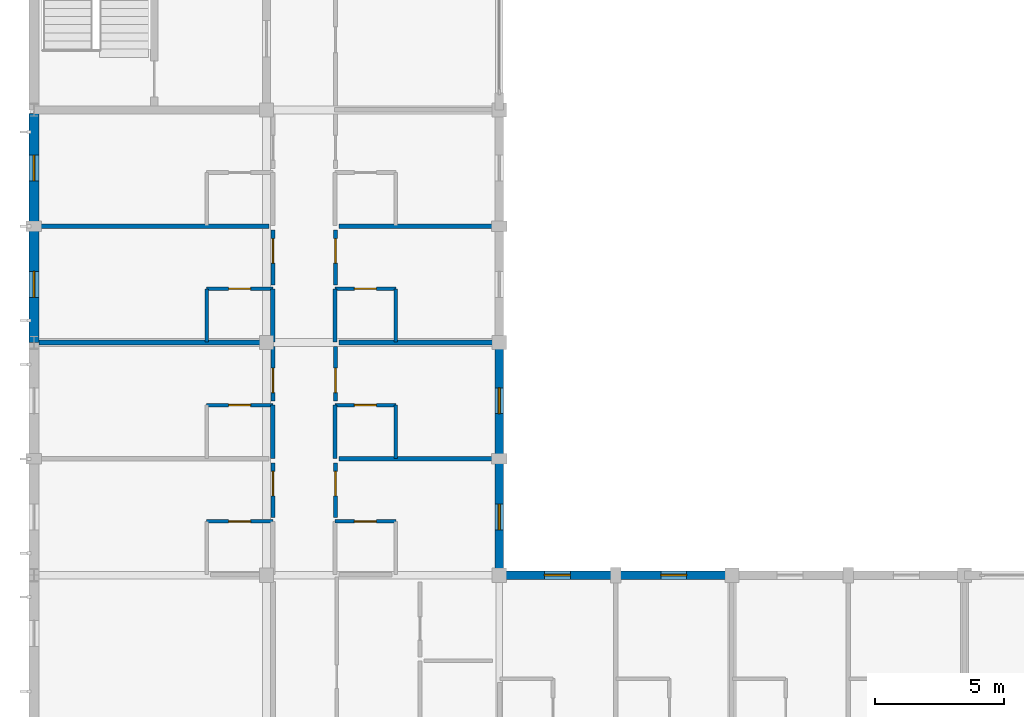
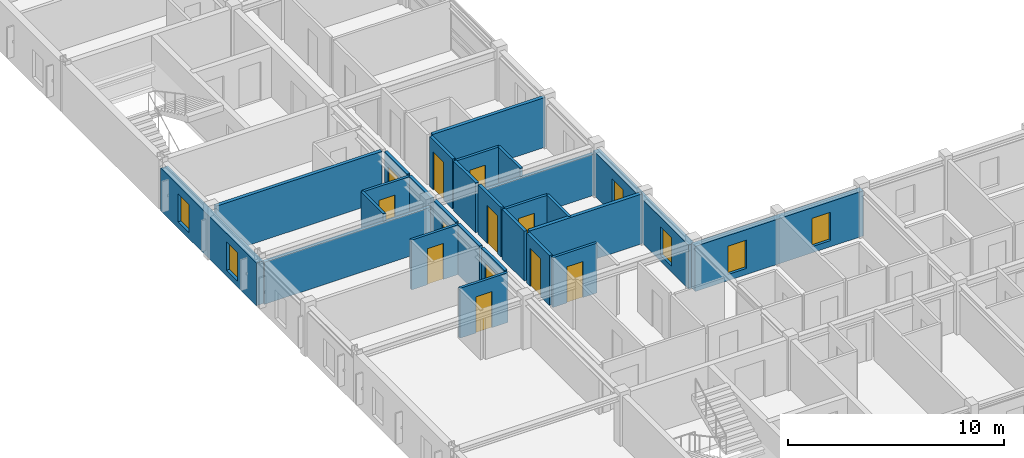
# One storey, part 16 of 30: 27 walls, 12 doors, 6 windows, 18 openings.
"""IFC4 building model written with IfcOpenShell, lengths in metres."""

from ifc_helpers import new_model, si_unit, direction, frame, frame_2d, origin, place, context, subcontext, project, spatial, rectangle, extrude, material, layer, layer_set, type_object, element, fill, save


model = new_model("IFC4")

# Units and contexts
model_context = context("Model", 3, precision=1e-05, world=origin(), true_north=direction((0.0, 1.0)))
body_context = subcontext(model_context, "Body", "Model", "MODEL_VIEW")
ifc_project = project(units=[si_unit("LENGTHUNIT", "METRE"), si_unit("AREAUNIT", "SQUARE_METRE"), si_unit("VOLUMEUNIT", "CUBIC_METRE"), si_unit("PLANEANGLEUNIT", "RADIAN"), si_unit("MASSUNIT", "GRAM", prefix="KILO")], contexts=[model_context])

# Site, building, storey
site_placement = place(None, origin())
site = spatial("IfcSite", under=ifc_project, at=site_placement, CompositionType="ELEMENT")
building_placement = place(site_placement, origin())
building = spatial("IfcBuilding", under=site, at=building_placement, Name="Palais des Congres Ocreval", CompositionType="ELEMENT")
storey_placement = place(building_placement, frame((0.0, 0.0, 14.56005859375)))
storey = spatial("IfcBuildingStorey", under=building, at=storey_placement, Name="L04", CompositionType="ELEMENT", Elevation=14.56005859375)

# Wall, opening, door
ifc_material_1 = material(Name="Moisture-resistant gypsum board")
ifc_layer_1 = layer(ifc_material_1, 0.139892578125)
ifc_layer_set_1 = layer_set([ifc_layer_1], Name="Bathroom Plumbing Chase Wall 140 Gypsum (Moisture-resistant gypsum board)")
wall_type_1 = type_object("IfcWallType", Name="Bathroom Plumbing Chase Wall 140 Gypsum", PredefinedType="PLUMBINGWALL", material=ifc_layer_set_1)
wall_1_placement = place(storey_placement, frame((6.679931640625, 20.080078125, 0.0), z_axis=(0.0, 0.0, 1.0), x_axis=(1.0, 0.0, 0.0)))
wall_1 = element("IfcWall", 1, at=wall_1_placement, inside=storey, type_object=wall_type_1, Name="Bathroom Plumbing Wall PW03 L04", PredefinedType="PLUMBINGWALL", context=body_context, shape_type="SweptSolid", body=[
    extrude(rectangle(XDim=2.56005859375, YDim=0.139892578125, at=frame_2d((1.280029296875, 0.0))), origin(), (0.0, 0.0, 1.0), 2.81982421875),
])
opening_1_placement = place(wall_1_placement, frame((0.85498046875, 0.0, 0.0)))
opening_1 = element("IfcOpeningElement", 2, at=opening_1_placement, cuts=wall_1, Name="Opening D08", PredefinedType="OPENING", context=body_context, shape_type="SweptSolid", body=[
    extrude(rectangle(XDim=0.85009765625, YDim=2.0400390625, at=frame_2d((0.425048828125, 1.02001953125))), frame((0.0, 0.079833984375, 0.0), z_axis=(0.0, -1.0, 0.0), x_axis=(1.0, 0.0, 0.0)), (0.0, 0.0, 1.0), 0.159912109375),
])
ifc_material_2 = material(Name="Solid French oak", Category="wood")
door_type_1 = type_object("IfcDoorType", Name="En-Suite Bathroom Door 850x2040", OperationType="NOTDEFINED", PredefinedType="DOOR", material=ifc_material_2)
door_1_placement = place(opening_1_placement, origin())
door_1 = element("IfcDoor", 3, at=door_1_placement, inside=storey, type_object=door_type_1, Name="En-Suite Bathroom Door D08 L04", OperationType="SINGLE_SWING_LEFT", OverallHeight=2.0400390625, OverallWidth=0.85009765625, PredefinedType="DOOR", context=body_context, shape_type="SweptSolid", body=[
    extrude(rectangle(XDim=0.85009765625, YDim=2.0400390625, at=frame_2d((0.425048828125, 1.02001953125))), frame((0.0, 0.02490234375, 0.0), z_axis=(0.0, -1.0, 0.0), x_axis=(1.0, 0.0, 0.0)), (0.0, 0.0, 1.0), 0.050048828125),
])
fill(opening_1, door_1)

wall_2_placement = place(storey_placement, frame((6.679931640625, 24.580078125, 0.0), z_axis=(0.0, 0.0, 1.0), x_axis=(1.0, 0.0, 0.0)))
wall_2 = element("IfcWall", 4, at=wall_2_placement, inside=storey, type_object=wall_type_1, Name="Bathroom Plumbing Wall PW03 L04", PredefinedType="PLUMBINGWALL", context=body_context, shape_type="SweptSolid", body=[
    extrude(rectangle(XDim=2.56005859375, YDim=0.139892578125, at=frame_2d((1.280029296875, 0.0))), origin(), (0.0, 0.0, 1.0), 2.81982421875),
])
opening_2_placement = place(wall_2_placement, frame((0.85498046875, 0.0, 0.0)))
opening_2 = element("IfcOpeningElement", 5, at=opening_2_placement, cuts=wall_2, Name="Opening D08", PredefinedType="OPENING", context=body_context, shape_type="SweptSolid", body=[
    extrude(rectangle(XDim=0.85009765625, YDim=2.0400390625, at=frame_2d((0.425048828125, 1.02001953125))), frame((0.0, 0.079833984375, 0.0), z_axis=(0.0, -1.0, 0.0), x_axis=(1.0, 0.0, 0.0)), (0.0, 0.0, 1.0), 0.159912109375),
])
door_2_placement = place(opening_2_placement, origin())
door_2 = element("IfcDoor", 6, at=door_2_placement, inside=storey, type_object=door_type_1, Name="En-Suite Bathroom Door D08 L04", OperationType="SINGLE_SWING_RIGHT", OverallHeight=2.0400390625, OverallWidth=0.85009765625, PredefinedType="DOOR", context=body_context, shape_type="SweptSolid", body=[
    extrude(rectangle(XDim=0.85009765625, YDim=2.0400390625, at=frame_2d((0.425048828125, 1.02001953125))), frame((0.0, 0.02490234375, 0.0), z_axis=(0.0, -1.0, 0.0), x_axis=(1.0, 0.0, 0.0)), (0.0, 0.0, 1.0), 0.050048828125),
])
fill(opening_2, door_2)

wall_3_placement = place(storey_placement, frame((11.639892578125, 20.080078125, 0.0), z_axis=(0.0, 0.0, 1.0), x_axis=(1.0, 0.0, 0.0)))
wall_3 = element("IfcWall", 7, at=wall_3_placement, inside=storey, type_object=wall_type_1, Name="Bathroom Plumbing Wall PW03 L04", PredefinedType="PLUMBINGWALL", context=body_context, shape_type="SweptSolid", body=[
    extrude(rectangle(XDim=2.360107421875, YDim=0.139892578125, at=frame_2d((1.18017578125, 0.0))), origin(), (0.0, 0.0, 1.0), 2.81982421875),
])
opening_3_placement = place(wall_3_placement, frame((0.7548828125, 0.0, 0.0)))
opening_3 = element("IfcOpeningElement", 8, at=opening_3_placement, cuts=wall_3, Name="Opening D08", PredefinedType="OPENING", context=body_context, shape_type="SweptSolid", body=[
    extrude(rectangle(XDim=0.85009765625, YDim=2.0400390625, at=frame_2d((0.425048828125, 1.02001953125))), frame((0.0, 0.079833984375, 0.0), z_axis=(0.0, -1.0, 0.0), x_axis=(1.0, 0.0, 0.0)), (0.0, 0.0, 1.0), 0.159912109375),
])
door_3_placement = place(opening_3_placement, origin())
door_3 = element("IfcDoor", 9, at=door_3_placement, inside=storey, type_object=door_type_1, Name="En-Suite Bathroom Door D08 L04", OperationType="SINGLE_SWING_LEFT", OverallHeight=2.0400390625, OverallWidth=0.85009765625, PredefinedType="DOOR", context=body_context, shape_type="SweptSolid", body=[
    extrude(rectangle(XDim=0.85009765625, YDim=2.0400390625, at=frame_2d((0.425048828125, 1.02001953125))), frame((0.0, 0.02490234375, 0.0), z_axis=(0.0, -1.0, 0.0), x_axis=(1.0, 0.0, 0.0)), (0.0, 0.0, 1.0), 0.050048828125),
])
fill(opening_3, door_3)

wall_4_placement = place(storey_placement, frame((11.639892578125, 24.580078125, 0.0), z_axis=(0.0, 0.0, 1.0), x_axis=(1.0, 0.0, 0.0)))
wall_4 = element("IfcWall", 10, at=wall_4_placement, inside=storey, type_object=wall_type_1, Name="Bathroom Plumbing Wall PW03 L04", PredefinedType="PLUMBINGWALL", context=body_context, shape_type="SweptSolid", body=[
    extrude(rectangle(XDim=2.360107421875, YDim=0.139892578125, at=frame_2d((1.18017578125, 0.0))), origin(), (0.0, 0.0, 1.0), 2.81982421875),
])
opening_4_placement = place(wall_4_placement, frame((0.7548828125, 0.0, 0.0)))
opening_4 = element("IfcOpeningElement", 11, at=opening_4_placement, cuts=wall_4, Name="Opening D08", PredefinedType="OPENING", context=body_context, shape_type="SweptSolid", body=[
    extrude(rectangle(XDim=0.85009765625, YDim=2.0400390625, at=frame_2d((0.425048828125, 1.02001953125))), frame((0.0, 0.079833984375, 0.0), z_axis=(0.0, -1.0, 0.0), x_axis=(1.0, 0.0, 0.0)), (0.0, 0.0, 1.0), 0.159912109375),
])
door_4_placement = place(opening_4_placement, origin())
door_4 = element("IfcDoor", 12, at=door_4_placement, inside=storey, type_object=door_type_1, Name="En-Suite Bathroom Door D08 L04", OperationType="SINGLE_SWING_RIGHT", OverallHeight=2.0400390625, OverallWidth=0.85009765625, PredefinedType="DOOR", context=body_context, shape_type="SweptSolid", body=[
    extrude(rectangle(XDim=0.85009765625, YDim=2.0400390625, at=frame_2d((0.425048828125, 1.02001953125))), frame((0.0, 0.02490234375, 0.0), z_axis=(0.0, -1.0, 0.0), x_axis=(1.0, 0.0, 0.0)), (0.0, 0.0, 1.0), 0.050048828125),
])
fill(opening_4, door_4)

# Wall
wall_5_placement = place(storey_placement, frame((14.0, 22.52001953125, 0.0), z_axis=(0.0, 0.0, 1.0), x_axis=(0.0, 1.0, 0.0)))
element("IfcWall", 13, at=wall_5_placement, inside=storey, type_object=wall_type_1, Name="Bathroom Plumbing Wall PW03 L04", PredefinedType="PLUMBINGWALL", context=body_context, shape_type="SweptSolid", body=[
    extrude(rectangle(XDim=2.06005859375, YDim=0.139892578125, at=frame_2d((1.030029296875, 0.0))), origin(), (0.0, 0.0, 1.0), 2.81982421875),
])

# Wall, opening, door
wall_6_placement = place(storey_placement, frame((6.679931640625, 29.080078125, 0.0), z_axis=(0.0, 0.0, 1.0), x_axis=(1.0, 0.0, 0.0)))
wall_6 = element("IfcWall", 14, at=wall_6_placement, inside=storey, type_object=wall_type_1, Name="Bathroom Plumbing Wall PW03 L04", PredefinedType="PLUMBINGWALL", context=body_context, shape_type="SweptSolid", body=[
    extrude(rectangle(XDim=2.56005859375, YDim=0.139892578125, at=frame_2d((1.280029296875, 0.0))), origin(), (0.0, 0.0, 1.0), 2.81982421875),
])
opening_5_placement = place(wall_6_placement, frame((0.85498046875, 0.0, 0.0)))
opening_5 = element("IfcOpeningElement", 15, at=opening_5_placement, cuts=wall_6, Name="Opening D08", PredefinedType="OPENING", context=body_context, shape_type="SweptSolid", body=[
    extrude(rectangle(XDim=0.85009765625, YDim=2.0400390625, at=frame_2d((0.425048828125, 1.02001953125))), frame((0.0, 0.079833984375, 0.0), z_axis=(0.0, -1.0, 0.0), x_axis=(1.0, 0.0, 0.0)), (0.0, 0.0, 1.0), 0.159912109375),
])
door_5_placement = place(opening_5_placement, origin())
door_5 = element("IfcDoor", 16, at=door_5_placement, inside=storey, type_object=door_type_1, Name="En-Suite Bathroom Door D08 L04", OperationType="SINGLE_SWING_LEFT", OverallHeight=2.0400390625, OverallWidth=0.85009765625, PredefinedType="DOOR", context=body_context, shape_type="SweptSolid", body=[
    extrude(rectangle(XDim=0.85009765625, YDim=2.0400390625, at=frame_2d((0.425048828125, 1.02001953125))), frame((0.0, 0.02490234375, 0.0), z_axis=(0.0, -1.0, 0.0), x_axis=(1.0, 0.0, 0.0)), (0.0, 0.0, 1.0), 0.050048828125),
])
fill(opening_5, door_5)

# Wall
wall_7_placement = place(storey_placement, frame((6.679931640625, 27.02001953125, 0.0), z_axis=(0.0, 0.0, 1.0), x_axis=(0.0, 1.0, 0.0)))
element("IfcWall", 17, at=wall_7_placement, inside=storey, type_object=wall_type_1, Name="Bathroom Plumbing Wall PW03 L04", PredefinedType="PLUMBINGWALL", context=body_context, shape_type="SweptSolid", body=[
    extrude(rectangle(XDim=2.06005859375, YDim=0.139892578125, at=frame_2d((1.030029296875, 0.0))), origin(), (0.0, 0.0, 1.0), 2.81982421875),
])

# Wall, opening, door
wall_8_placement = place(storey_placement, frame((11.639892578125, 29.080078125, 0.0), z_axis=(0.0, 0.0, 1.0), x_axis=(1.0, 0.0, 0.0)))
wall_8 = element("IfcWall", 18, at=wall_8_placement, inside=storey, type_object=wall_type_1, Name="Bathroom Plumbing Wall PW03 L04", PredefinedType="PLUMBINGWALL", context=body_context, shape_type="SweptSolid", body=[
    extrude(rectangle(XDim=2.360107421875, YDim=0.139892578125, at=frame_2d((1.18017578125, 0.0))), origin(), (0.0, 0.0, 1.0), 2.81982421875),
])
opening_6_placement = place(wall_8_placement, frame((0.7548828125, 0.0, 0.0)))
opening_6 = element("IfcOpeningElement", 19, at=opening_6_placement, cuts=wall_8, Name="Opening D08", PredefinedType="OPENING", context=body_context, shape_type="SweptSolid", body=[
    extrude(rectangle(XDim=0.85009765625, YDim=2.0400390625, at=frame_2d((0.425048828125, 1.02001953125))), frame((0.0, 0.079833984375, 0.0), z_axis=(0.0, -1.0, 0.0), x_axis=(1.0, 0.0, 0.0)), (0.0, 0.0, 1.0), 0.159912109375),
])
door_6_placement = place(opening_6_placement, origin())
door_6 = element("IfcDoor", 20, at=door_6_placement, inside=storey, type_object=door_type_1, Name="En-Suite Bathroom Door D08 L04", OperationType="SINGLE_SWING_LEFT", OverallHeight=2.0400390625, OverallWidth=0.85009765625, PredefinedType="DOOR", context=body_context, shape_type="SweptSolid", body=[
    extrude(rectangle(XDim=0.85009765625, YDim=2.0400390625, at=frame_2d((0.425048828125, 1.02001953125))), frame((0.0, 0.02490234375, 0.0), z_axis=(0.0, -1.0, 0.0), x_axis=(1.0, 0.0, 0.0)), (0.0, 0.0, 1.0), 0.050048828125),
])
fill(opening_6, door_6)

# Walls
wall_9_placement = place(storey_placement, frame((14.0, 27.02001953125, 0.0), z_axis=(0.0, 0.0, 1.0), x_axis=(0.0, 1.0, 0.0)))
element("IfcWall", 21, at=wall_9_placement, inside=storey, type_object=wall_type_1, Name="Bathroom Plumbing Wall PW03 L04", PredefinedType="PLUMBINGWALL", context=body_context, shape_type="SweptSolid", body=[
    extrude(rectangle(XDim=2.06005859375, YDim=0.139892578125, at=frame_2d((1.030029296875, 0.0))), origin(), (0.0, 0.0, 1.0), 2.81982421875),
])
ifc_material_3 = material(Name="Gypsum acoustic partition")
ifc_layer_2 = layer(ifc_material_3, 0.159912109375)
ifc_layer_set_2 = layer_set([ifc_layer_2], Name="Corridor Fire Partition 160 Gypsum (Gypsum acoustic partition)")
wall_type_2 = type_object("IfcWallType", Name="Corridor Fire Partition 160 Gypsum", PredefinedType="PARTITIONING", material=ifc_layer_set_2)
for number, where, z_axis, x_axis, name in (
    (22, (9.239990234375, 22.52001953125, 0.0), (0.0, 0.0, 1.0), (0.0, 1.0, 0.0), "Corridor Partition IW03 L04"),
    (23, (11.639892578125, 22.52001953125, 0.0), (0.0, 0.0, 1.0), (0.0, 1.0, 0.0), "Corridor Partition IW03 L04"),
    (24, (9.239990234375, 27.02001953125, 0.0), (0.0, 0.0, 1.0), (0.0, 1.0, 0.0), "Corridor Partition IW03 L04"),
    (25, (11.639892578125, 27.02001953125, 0.0), (0.0, 0.0, 1.0), (0.0, 1.0, 0.0), "Corridor Partition IW03 L04"),
):
    element("IfcWall", number, at=place(storey_placement, frame(where, z_axis=z_axis, x_axis=x_axis)), inside=storey, type_object=wall_type_2, Name=name, PredefinedType="PARTITIONING", context=body_context, shape_type="SweptSolid", body=[
        extrude(rectangle(XDim=2.06005859375, YDim=0.159912109375, at=frame_2d((1.030029296875, 0.0))), origin(), (0.0, 0.0, 1.0), 2.81982421875),
    ])

# Wall, opening, door
wall_10_placement = place(storey_placement, frame((9.25, 20.235107421875, 0.0), z_axis=(0.0, 0.0, 1.0), x_axis=(0.0, 1.0, 0.0)))
wall_10 = element("IfcWall", 26, at=wall_10_placement, inside=storey, type_object=wall_type_2, Name="Interior Partition IW03 L04", PredefinedType="PARTITIONING", context=body_context, shape_type="SweptSolid", body=[
    extrude(rectangle(XDim=2.10986328125, YDim=0.159912109375, at=frame_2d((1.054931640625, 0.0))), origin(), (0.0, 0.0, 1.0), 2.81982421875),
])
opening_7_placement = place(wall_10_placement, frame((0.833251953125, 0.0, 0.0)))
opening_7 = element("IfcOpeningElement", 27, at=opening_7_placement, cuts=wall_10, Name="Opening D05", PredefinedType="OPENING", context=body_context, shape_type="SweptSolid", body=[
    extrude(rectangle(XDim=0.949951171875, YDim=2.14990234375, at=frame_2d((0.47509765625, 1.074951171875))), frame((0.0, 0.08984375, 0.0), z_axis=(0.0, -1.0, 0.0), x_axis=(1.0, 0.0, 0.0)), (0.0, 0.0, 1.0), 0.179931640625),
])
door_type_2 = type_object("IfcDoorType", Name="Hotel Guestroom Entrance Door 950x2150", OperationType="NOTDEFINED", PredefinedType="DOOR", material=ifc_material_2)
door_7_placement = place(opening_7_placement, origin())
door_7 = element("IfcDoor", 28, at=door_7_placement, inside=storey, type_object=door_type_2, Name="Interior Door D05 L04", OperationType="SINGLE_SWING_LEFT", OverallHeight=2.14990234375, OverallWidth=0.949951171875, PredefinedType="DOOR", context=body_context, shape_type="SweptSolid", body=[
    extrude(rectangle(XDim=0.949951171875, YDim=2.14990234375, at=frame_2d((0.47509765625, 1.074951171875))), frame((0.0, 0.02490234375, 0.0), z_axis=(0.0, -1.0, 0.0), x_axis=(1.0, 0.0, 0.0)), (0.0, 0.0, 1.0), 0.050048828125),
])
fill(opening_7, door_7)

wall_11_placement = place(storey_placement, frame((9.25, 24.735107421875, 0.0), z_axis=(0.0, 0.0, 1.0), x_axis=(0.0, 1.0, 0.0)))
wall_11 = element("IfcWall", 29, at=wall_11_placement, inside=storey, type_object=wall_type_2, Name="Interior Partition IW03 L04", PredefinedType="PARTITIONING", context=body_context, shape_type="SweptSolid", body=[
    extrude(rectangle(XDim=2.10986328125, YDim=0.159912109375, at=frame_2d((1.054931640625, 0.0))), origin(), (0.0, 0.0, 1.0), 2.81982421875),
])
opening_8_placement = place(wall_11_placement, frame((0.326904296875, 0.0, 0.0)))
opening_8 = element("IfcOpeningElement", 30, at=opening_8_placement, cuts=wall_11, Name="Opening D05", PredefinedType="OPENING", context=body_context, shape_type="SweptSolid", body=[
    extrude(rectangle(XDim=0.949951171875, YDim=2.14990234375, at=frame_2d((0.47509765625, 1.074951171875))), frame((0.0, 0.08984375, 0.0), z_axis=(0.0, -1.0, 0.0), x_axis=(1.0, 0.0, 0.0)), (0.0, 0.0, 1.0), 0.179931640625),
])
door_8_placement = place(opening_8_placement, origin())
door_8 = element("IfcDoor", 31, at=door_8_placement, inside=storey, type_object=door_type_2, Name="Interior Door D05 L04", OperationType="SINGLE_SWING_RIGHT", OverallHeight=2.14990234375, OverallWidth=0.949951171875, PredefinedType="DOOR", context=body_context, shape_type="SweptSolid", body=[
    extrude(rectangle(XDim=0.949951171875, YDim=2.14990234375, at=frame_2d((0.47509765625, 1.074951171875))), frame((0.0, 0.02490234375, 0.0), z_axis=(0.0, -1.0, 0.0), x_axis=(1.0, 0.0, 0.0)), (0.0, 0.0, 1.0), 0.050048828125),
])
fill(opening_8, door_8)

wall_12_placement = place(storey_placement, frame((11.669921875, 20.235107421875, 0.0), z_axis=(0.0, 0.0, 1.0), x_axis=(0.0, 1.0, 0.0)))
wall_12 = element("IfcWall", 32, at=wall_12_placement, inside=storey, type_object=wall_type_2, Name="Interior Partition IW03 L04", PredefinedType="PARTITIONING", context=body_context, shape_type="SweptSolid", body=[
    extrude(rectangle(XDim=2.10986328125, YDim=0.159912109375, at=frame_2d((1.054931640625, 0.0))), origin(), (0.0, 0.0, 1.0), 2.81982421875),
])
opening_9_placement = place(wall_12_placement, frame((0.833251953125, 0.0, 0.0)))
opening_9 = element("IfcOpeningElement", 33, at=opening_9_placement, cuts=wall_12, Name="Opening D05", PredefinedType="OPENING", context=body_context, shape_type="SweptSolid", body=[
    extrude(rectangle(XDim=0.949951171875, YDim=2.14990234375, at=frame_2d((0.47509765625, 1.074951171875))), frame((0.0, 0.08984375, 0.0), z_axis=(0.0, -1.0, 0.0), x_axis=(1.0, 0.0, 0.0)), (0.0, 0.0, 1.0), 0.179931640625),
])
door_9_placement = place(opening_9_placement, origin())
door_9 = element("IfcDoor", 34, at=door_9_placement, inside=storey, type_object=door_type_2, Name="Interior Door D05 L04", OperationType="SINGLE_SWING_LEFT", OverallHeight=2.14990234375, OverallWidth=0.949951171875, PredefinedType="DOOR", context=body_context, shape_type="SweptSolid", body=[
    extrude(rectangle(XDim=0.949951171875, YDim=2.14990234375, at=frame_2d((0.47509765625, 1.074951171875))), frame((0.0, 0.02490234375, 0.0), z_axis=(0.0, -1.0, 0.0), x_axis=(1.0, 0.0, 0.0)), (0.0, 0.0, 1.0), 0.050048828125),
])
fill(opening_9, door_9)

wall_13_placement = place(storey_placement, frame((11.669921875, 24.735107421875, 0.0), z_axis=(0.0, 0.0, 1.0), x_axis=(0.0, 1.0, 0.0)))
wall_13 = element("IfcWall", 35, at=wall_13_placement, inside=storey, type_object=wall_type_2, Name="Interior Partition IW03 L04", PredefinedType="PARTITIONING", context=body_context, shape_type="SweptSolid", body=[
    extrude(rectangle(XDim=2.10986328125, YDim=0.159912109375, at=frame_2d((1.054931640625, 0.0))), origin(), (0.0, 0.0, 1.0), 2.81982421875),
])
opening_10_placement = place(wall_13_placement, frame((0.326904296875, 0.0, 0.0)))
opening_10 = element("IfcOpeningElement", 36, at=opening_10_placement, cuts=wall_13, Name="Opening D05", PredefinedType="OPENING", context=body_context, shape_type="SweptSolid", body=[
    extrude(rectangle(XDim=0.949951171875, YDim=2.14990234375, at=frame_2d((0.47509765625, 1.074951171875))), frame((0.0, 0.08984375, 0.0), z_axis=(0.0, -1.0, 0.0), x_axis=(1.0, 0.0, 0.0)), (0.0, 0.0, 1.0), 0.179931640625),
])
door_10_placement = place(opening_10_placement, origin())
door_10 = element("IfcDoor", 37, at=door_10_placement, inside=storey, type_object=door_type_2, Name="Interior Door D05 L04", OperationType="SINGLE_SWING_RIGHT", OverallHeight=2.14990234375, OverallWidth=0.949951171875, PredefinedType="DOOR", context=body_context, shape_type="SweptSolid", body=[
    extrude(rectangle(XDim=0.949951171875, YDim=2.14990234375, at=frame_2d((0.47509765625, 1.074951171875))), frame((0.0, 0.02490234375, 0.0), z_axis=(0.0, -1.0, 0.0), x_axis=(1.0, 0.0, 0.0)), (0.0, 0.0, 1.0), 0.050048828125),
])
fill(opening_10, door_10)

wall_14_placement = place(storey_placement, frame((9.25, 29.235107421875, 0.0), z_axis=(0.0, 0.0, 1.0), x_axis=(0.0, 1.0, 0.0)))
wall_14 = element("IfcWall", 38, at=wall_14_placement, inside=storey, type_object=wall_type_2, Name="Interior Partition IW03 L04", PredefinedType="PARTITIONING", context=body_context, shape_type="SweptSolid", body=[
    extrude(rectangle(XDim=2.10986328125, YDim=0.159912109375, at=frame_2d((1.054931640625, 0.0))), origin(), (0.0, 0.0, 1.0), 2.81982421875),
])
opening_11_placement = place(wall_14_placement, frame((0.833251953125, 0.0, 0.0)))
opening_11 = element("IfcOpeningElement", 39, at=opening_11_placement, cuts=wall_14, Name="Opening D05", PredefinedType="OPENING", context=body_context, shape_type="SweptSolid", body=[
    extrude(rectangle(XDim=0.949951171875, YDim=2.14990234375, at=frame_2d((0.47509765625, 1.074951171875))), frame((0.0, 0.08984375, 0.0), z_axis=(0.0, -1.0, 0.0), x_axis=(1.0, 0.0, 0.0)), (0.0, 0.0, 1.0), 0.179931640625),
])
door_11_placement = place(opening_11_placement, origin())
door_11 = element("IfcDoor", 40, at=door_11_placement, inside=storey, type_object=door_type_2, Name="Interior Door D05 L04", OperationType="SINGLE_SWING_LEFT", OverallHeight=2.14990234375, OverallWidth=0.949951171875, PredefinedType="DOOR", context=body_context, shape_type="SweptSolid", body=[
    extrude(rectangle(XDim=0.949951171875, YDim=2.14990234375, at=frame_2d((0.47509765625, 1.074951171875))), frame((0.0, 0.02490234375, 0.0), z_axis=(0.0, -1.0, 0.0), x_axis=(1.0, 0.0, 0.0)), (0.0, 0.0, 1.0), 0.050048828125),
])
fill(opening_11, door_11)

wall_15_placement = place(storey_placement, frame((11.669921875, 29.235107421875, 0.0), z_axis=(0.0, 0.0, 1.0), x_axis=(0.0, 1.0, 0.0)))
wall_15 = element("IfcWall", 41, at=wall_15_placement, inside=storey, type_object=wall_type_2, Name="Interior Partition IW03 L04", PredefinedType="PARTITIONING", context=body_context, shape_type="SweptSolid", body=[
    extrude(rectangle(XDim=2.10986328125, YDim=0.159912109375, at=frame_2d((1.054931640625, 0.0))), origin(), (0.0, 0.0, 1.0), 2.81982421875),
])
opening_12_placement = place(wall_15_placement, frame((0.833251953125, 0.0, 0.0)))
opening_12 = element("IfcOpeningElement", 42, at=opening_12_placement, cuts=wall_15, Name="Opening D05", PredefinedType="OPENING", context=body_context, shape_type="SweptSolid", body=[
    extrude(rectangle(XDim=0.949951171875, YDim=2.14990234375, at=frame_2d((0.47509765625, 1.074951171875))), frame((0.0, 0.08984375, 0.0), z_axis=(0.0, -1.0, 0.0), x_axis=(1.0, 0.0, 0.0)), (0.0, 0.0, 1.0), 0.179931640625),
])
door_12_placement = place(opening_12_placement, origin())
door_12 = element("IfcDoor", 43, at=door_12_placement, inside=storey, type_object=door_type_2, Name="Interior Door D05 L04", OperationType="SINGLE_SWING_LEFT", OverallHeight=2.14990234375, OverallWidth=0.949951171875, PredefinedType="DOOR", context=body_context, shape_type="SweptSolid", body=[
    extrude(rectangle(XDim=0.949951171875, YDim=2.14990234375, at=frame_2d((0.47509765625, 1.074951171875))), frame((0.0, 0.02490234375, 0.0), z_axis=(0.0, -1.0, 0.0), x_axis=(1.0, 0.0, 0.0)), (0.0, 0.0, 1.0), 0.050048828125),
])
fill(opening_12, door_12)

# Walls
ifc_layer_3 = layer(ifc_material_3, 0.179931640625)
ifc_layer_set_3 = layer_set([ifc_layer_3], Name="Hotel Inter-Room Acoustic Partition 180 Gypsum (Gypsum acoustic partition)")
wall_type_3 = type_object("IfcWallType", Name="Hotel Inter-Room Acoustic Partition 180 Gypsum", PredefinedType="PARTITIONING", material=ifc_layer_set_3)
wall_16_placement = place(storey_placement, frame((0.195068359375, 27.0, 0.0), z_axis=(0.0, 0.0, 1.0), x_axis=(1.0, 0.0, 0.0)))
element("IfcWall", 44, at=wall_16_placement, inside=storey, type_object=wall_type_3, Name="Hotel Party Partition IW02 L04", PredefinedType="PARTITIONING", context=body_context, shape_type="SweptSolid", body=[
    extrude(rectangle(XDim=8.889892578125, YDim=0.179931640625, at=frame_2d((4.44482421875, 0.0))), origin(), (0.0, 0.0, 1.0), 2.389892578125),
])
wall_17_placement = place(storey_placement, frame((11.794921875, 22.5, 0.0), z_axis=(0.0, 0.0, 1.0), x_axis=(1.0, 0.0, 0.0)))
element("IfcWall", 45, at=wall_17_placement, inside=storey, type_object=wall_type_3, Name="Hotel Party Partition IW02 L04", PredefinedType="PARTITIONING", context=body_context, shape_type="SweptSolid", body=[
    extrude(rectangle(XDim=6.030029296875, YDim=0.179931640625, at=frame_2d((3.01513671875, 0.0))), origin(), (0.0, 0.0, 1.0), 2.81982421875),
])
wall_18_placement = place(storey_placement, frame((11.794921875, 27.0, 0.0), z_axis=(0.0, 0.0, 1.0), x_axis=(1.0, 0.0, 0.0)))
element("IfcWall", 46, at=wall_18_placement, inside=storey, type_object=wall_type_3, Name="Hotel Party Partition IW02 L04", PredefinedType="PARTITIONING", context=body_context, shape_type="SweptSolid", body=[
    extrude(rectangle(XDim=6.030029296875, YDim=0.179931640625, at=frame_2d((3.01513671875, 0.0))), origin(), (0.0, 0.0, 1.0), 2.33984375),
])
wall_19_placement = place(storey_placement, frame((0.195068359375, 31.5, 0.0), z_axis=(0.0, 0.0, 1.0), x_axis=(1.0, 0.0, 0.0)))
element("IfcWall", 47, at=wall_19_placement, inside=storey, type_object=wall_type_3, Name="Hotel Party Partition IW02 L04", PredefinedType="PARTITIONING", context=body_context, shape_type="SweptSolid", body=[
    extrude(rectangle(XDim=8.889892578125, YDim=0.179931640625, at=frame_2d((4.44482421875, 0.0))), origin(), (0.0, 0.0, 1.0), 2.81982421875),
])
wall_20_placement = place(storey_placement, frame((11.794921875, 31.5, 0.0), z_axis=(0.0, 0.0, 1.0), x_axis=(1.0, 0.0, 0.0)))
element("IfcWall", 48, at=wall_20_placement, inside=storey, type_object=wall_type_3, Name="Hotel Party Partition IW02 L04", PredefinedType="PARTITIONING", context=body_context, shape_type="SweptSolid", body=[
    extrude(rectangle(XDim=6.030029296875, YDim=0.179931640625, at=frame_2d((3.01513671875, 0.0))), origin(), (0.0, 0.0, 1.0), 2.81982421875),
])

# Wall, openings, windows
ifc_material_4 = material(Name="Concrete C40/50", Category="concrete")
ifc_layer_4 = layer(ifc_material_4, 0.3798828125)
ifc_layer_set_4 = layer_set([ifc_layer_4], Name="Lutetian Limestone Street Wall 380 Concrete C40/50")
wall_type_4 = type_object("IfcWallType", Name="Lutetian Limestone Street Wall 380 Concrete C40/50", PredefinedType="SOLIDWALL", material=ifc_layer_set_4)
wall_21_placement = place(storey_placement, frame((0.0, 27.0, 0.0), z_axis=(0.0, 0.0, 1.0), x_axis=(0.0, 1.0, 0.0)))
wall_21 = element("IfcWall", 49, at=wall_21_placement, inside=storey, type_object=wall_type_4, Name="Exterior Wall EW03 L04", PredefinedType="SOLIDWALL", context=body_context, shape_type="SweptSolid", body=[
    extrude(rectangle(XDim=8.8701171875, YDim=0.3798828125, at=frame_2d((4.43505859375, 0.0))), origin(), (0.0, 0.0, 1.0), 2.419921875),
])
opening_13_placement = place(wall_21_placement, frame((1.75, 0.0, 0.35009765625)))
opening_13 = element("IfcOpeningElement", 50, at=opening_13_placement, cuts=wall_21, Name="Opening WN18", PredefinedType="OPENING", context=body_context, shape_type="SweptSolid", body=[
    extrude(rectangle(XDim=1.0, YDim=1.60009765625, at=frame_2d((0.5, 0.800048828125))), frame((0.0, 0.199951171875, 0.0), z_axis=(0.0, -1.0, 0.0), x_axis=(1.0, 0.0, 0.0)), (0.0, 0.0, 1.0), 0.39990234375),
])
opening_14_placement = place(wall_21_placement, frame((6.25, 0.0, 0.35009765625)))
opening_14 = element("IfcOpeningElement", 51, at=opening_14_placement, cuts=wall_21, Name="Opening WN18", PredefinedType="OPENING", context=body_context, shape_type="SweptSolid", body=[
    extrude(rectangle(XDim=1.0, YDim=1.60009765625, at=frame_2d((0.5, 0.800048828125))), frame((0.0, 0.199951171875, 0.0), z_axis=(0.0, -1.0, 0.0), x_axis=(1.0, 0.0, 0.0)), (0.0, 0.0, 1.0), 0.39990234375),
])
ifc_material_5 = material(Name="Anodized bronze aluminium and low-E glass", Category="glass")
window_type = type_object("IfcWindowType", Name="Stair and Lobby Daylight Window 1000x1600", PartitioningType="SINGLE_PANEL", PredefinedType="WINDOW", material=ifc_material_5)
window_1_placement = place(opening_13_placement, origin())
window_1 = element("IfcWindow", 52, at=window_1_placement, inside=storey, type_object=window_type, Name="Hotel Facade Window WN18", OverallHeight=1.60009765625, OverallWidth=1.0, PartitioningType="SINGLE_PANEL", PredefinedType="WINDOW", context=body_context, shape_type="SweptSolid", body=[
    extrude(rectangle(XDim=1.0, YDim=1.60009765625, at=frame_2d((0.5, 0.800048828125))), frame((0.0, 0.030029296875, 0.0), z_axis=(0.0, -1.0, 0.0), x_axis=(1.0, 0.0, 0.0)), (0.0, 0.0, 1.0), 0.06005859375),
])
fill(opening_13, window_1)
window_2_placement = place(opening_14_placement, origin())
window_2 = element("IfcWindow", 53, at=window_2_placement, inside=storey, type_object=window_type, Name="Hotel Facade Window WN18", OverallHeight=1.60009765625, OverallWidth=1.0, PartitioningType="SINGLE_PANEL", PredefinedType="WINDOW", context=body_context, shape_type="SweptSolid", body=[
    extrude(rectangle(XDim=1.0, YDim=1.60009765625, at=frame_2d((0.5, 0.800048828125))), frame((0.0, 0.030029296875, 0.0), z_axis=(0.0, -1.0, 0.0), x_axis=(1.0, 0.0, 0.0)), (0.0, 0.0, 1.0), 0.06005859375),
])
fill(opening_14, window_2)

ifc_layer_5 = layer(ifc_material_4, 0.340087890625)
ifc_layer_set_5 = layer_set([ifc_layer_5], Name="Ochre Mineral-Lime Courtyard Wall 340 Concrete C40/50")
wall_type_5 = type_object("IfcWallType", Name="Ochre Mineral-Lime Courtyard Wall 340 Concrete C40/50", PredefinedType="SOLIDWALL", material=ifc_layer_set_5)
wall_22_placement = place(storey_placement, frame((18.0, 27.0, 0.0), z_axis=(0.0, 0.0, 1.0), x_axis=(0.0, -1.0, 0.0)))
wall_22 = element("IfcWall", 54, at=wall_22_placement, inside=storey, type_object=wall_type_5, Name="Exterior Wall EW04 L04", PredefinedType="SOLIDWALL", context=body_context, shape_type="SweptSolid", body=[
    extrude(rectangle(XDim=8.844970703125, YDim=0.340087890625, at=frame_2d((4.42236328125, 0.0))), origin(), (0.0, 0.0, 1.0), 2.47998046875),
])
opening_15_placement = place(wall_22_placement, frame((1.75, 0.0, 0.35009765625)))
opening_15 = element("IfcOpeningElement", 55, at=opening_15_placement, cuts=wall_22, Name="Opening WN18", PredefinedType="OPENING", context=body_context, shape_type="SweptSolid", body=[
    extrude(rectangle(XDim=1.0, YDim=1.60009765625, at=frame_2d((0.5, 0.800048828125))), frame((0.0, 0.179931640625, 0.0), z_axis=(0.0, -1.0, 0.0), x_axis=(1.0, 0.0, 0.0)), (0.0, 0.0, 1.0), 0.360107421875),
])
opening_16_placement = place(wall_22_placement, frame((6.25, 0.0, 0.35009765625)))
opening_16 = element("IfcOpeningElement", 56, at=opening_16_placement, cuts=wall_22, Name="Opening WN18", PredefinedType="OPENING", context=body_context, shape_type="SweptSolid", body=[
    extrude(rectangle(XDim=1.0, YDim=1.60009765625, at=frame_2d((0.5, 0.800048828125))), frame((0.0, 0.179931640625, 0.0), z_axis=(0.0, -1.0, 0.0), x_axis=(1.0, 0.0, 0.0)), (0.0, 0.0, 1.0), 0.360107421875),
])
window_3_placement = place(opening_15_placement, origin())
window_3 = element("IfcWindow", 57, at=window_3_placement, inside=storey, type_object=window_type, Name="Hotel Facade Window WN18", OverallHeight=1.60009765625, OverallWidth=1.0, PartitioningType="SINGLE_PANEL", PredefinedType="WINDOW", context=body_context, shape_type="SweptSolid", body=[
    extrude(rectangle(XDim=1.0, YDim=1.60009765625, at=frame_2d((0.5, 0.800048828125))), frame((0.0, 0.030029296875, 0.0), z_axis=(0.0, -1.0, 0.0), x_axis=(1.0, 0.0, 0.0)), (0.0, 0.0, 1.0), 0.06005859375),
])
fill(opening_15, window_3)
window_4_placement = place(opening_16_placement, origin())
window_4 = element("IfcWindow", 58, at=window_4_placement, inside=storey, type_object=window_type, Name="Hotel Facade Window WN18", OverallHeight=1.60009765625, OverallWidth=1.0, PartitioningType="SINGLE_PANEL", PredefinedType="WINDOW", context=body_context, shape_type="SweptSolid", body=[
    extrude(rectangle(XDim=1.0, YDim=1.60009765625, at=frame_2d((0.5, 0.800048828125))), frame((0.0, 0.030029296875, 0.0), z_axis=(0.0, -1.0, 0.0), x_axis=(1.0, 0.0, 0.0)), (0.0, 0.0, 1.0), 0.06005859375),
])
fill(opening_16, window_4)

wall_23_placement = place(storey_placement, frame((18.0, 18.0, 0.0), z_axis=(0.0, 0.0, 1.0), x_axis=(1.0, 0.0, 0.0)))
wall_23 = element("IfcWall", 59, at=wall_23_placement, inside=storey, type_object=wall_type_5, Name="Exterior Wall EW04 L04", PredefinedType="SOLIDWALL", context=body_context, shape_type="SweptSolid", body=[
    extrude(rectangle(XDim=9.0, YDim=0.340087890625, at=frame_2d((4.5, 0.0))), origin(), (0.0, 0.0, 1.0), 2.550048828125),
])
opening_17_placement = place(wall_23_placement, frame((1.75, 0.0, 0.35009765625)))
opening_17 = element("IfcOpeningElement", 60, at=opening_17_placement, cuts=wall_23, Name="Opening WN18", PredefinedType="OPENING", context=body_context, shape_type="SweptSolid", body=[
    extrude(rectangle(XDim=1.0, YDim=1.60009765625, at=frame_2d((0.5, 0.800048828125))), frame((0.0, 0.179931640625, 0.0), z_axis=(0.0, -1.0, 0.0), x_axis=(1.0, 0.0, 0.0)), (0.0, 0.0, 1.0), 0.360107421875),
])
opening_18_placement = place(wall_23_placement, frame((6.25, 0.0, 0.35009765625)))
opening_18 = element("IfcOpeningElement", 61, at=opening_18_placement, cuts=wall_23, Name="Opening WN18", PredefinedType="OPENING", context=body_context, shape_type="SweptSolid", body=[
    extrude(rectangle(XDim=1.0, YDim=1.60009765625, at=frame_2d((0.5, 0.800048828125))), frame((0.0, 0.179931640625, 0.0), z_axis=(0.0, -1.0, 0.0), x_axis=(1.0, 0.0, 0.0)), (0.0, 0.0, 1.0), 0.360107421875),
])
window_5_placement = place(opening_17_placement, origin())
window_5 = element("IfcWindow", 62, at=window_5_placement, inside=storey, type_object=window_type, Name="Hotel Facade Window WN18", OverallHeight=1.60009765625, OverallWidth=1.0, PartitioningType="SINGLE_PANEL", PredefinedType="WINDOW", context=body_context, shape_type="SweptSolid", body=[
    extrude(rectangle(XDim=1.0, YDim=1.60009765625, at=frame_2d((0.5, 0.800048828125))), frame((0.0, 0.030029296875, 0.0), z_axis=(0.0, -1.0, 0.0), x_axis=(1.0, 0.0, 0.0)), (0.0, 0.0, 1.0), 0.06005859375),
])
fill(opening_17, window_5)
window_6_placement = place(opening_18_placement, origin())
window_6 = element("IfcWindow", 63, at=window_6_placement, inside=storey, type_object=window_type, Name="Hotel Facade Window WN18", OverallHeight=1.60009765625, OverallWidth=1.0, PartitioningType="SINGLE_PANEL", PredefinedType="WINDOW", context=body_context, shape_type="SweptSolid", body=[
    extrude(rectangle(XDim=1.0, YDim=1.60009765625, at=frame_2d((0.5, 0.800048828125))), frame((0.0, 0.030029296875, 0.0), z_axis=(0.0, -1.0, 0.0), x_axis=(1.0, 0.0, 0.0)), (0.0, 0.0, 1.0), 0.06005859375),
])
fill(opening_18, window_6)

save(model, "model.ifc")
